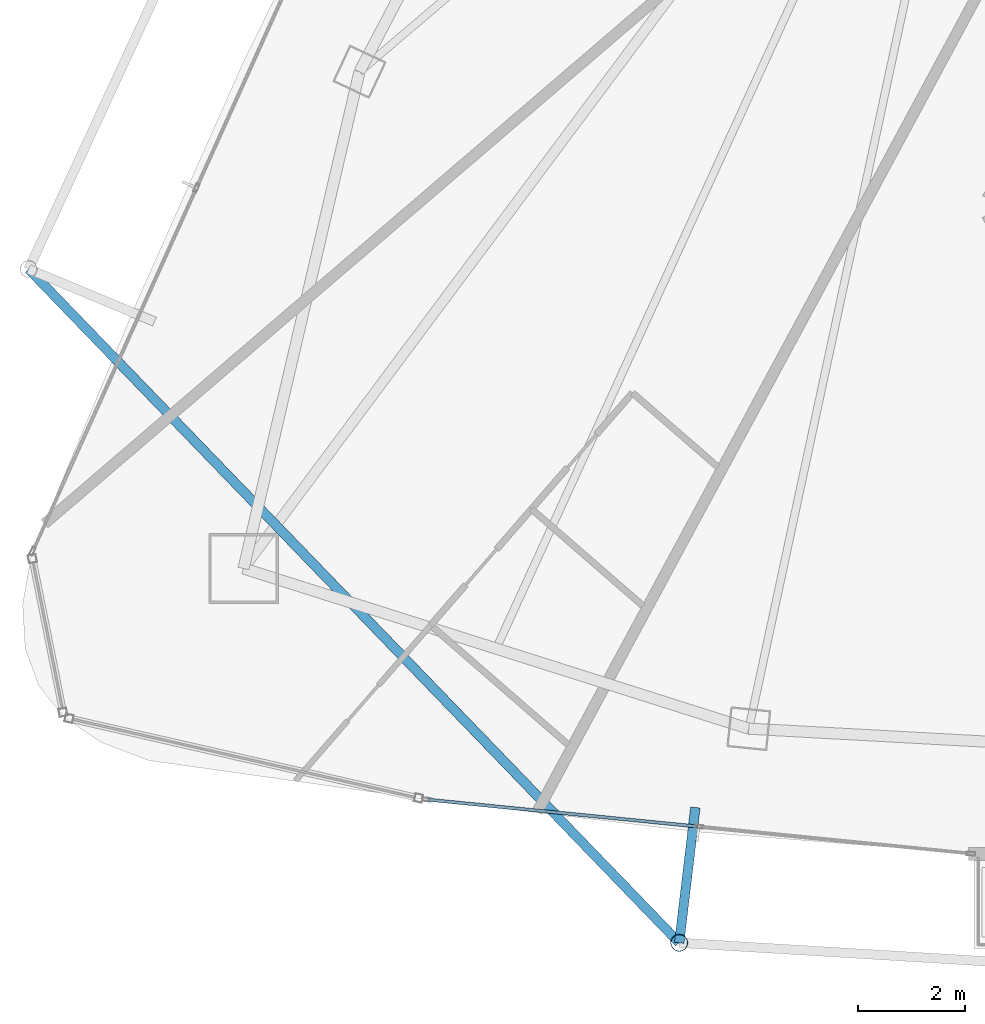
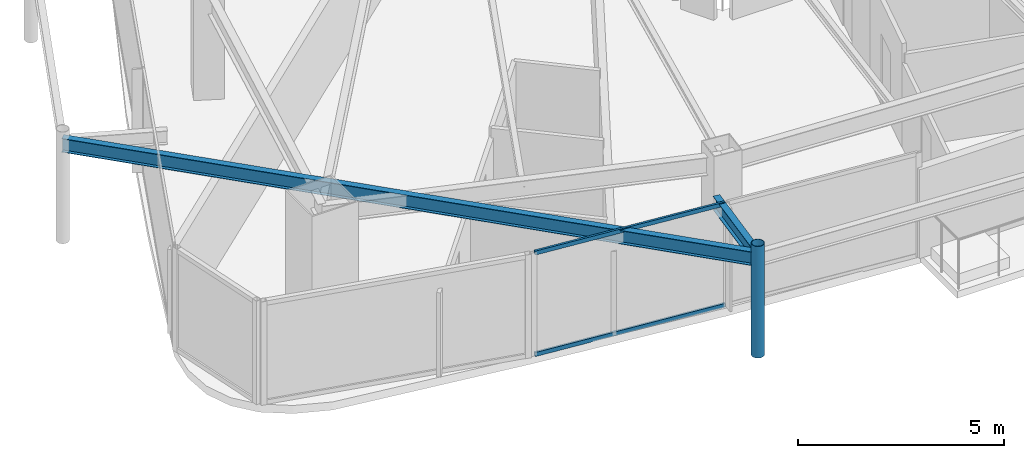
# One storey, part 3 of 30: 3 members, 2 beams, 1 element without a shape of its own.
"""IFC4 building model written with IfcOpenShell, lengths in metres."""

from ifc_helpers import new_model, si_unit, direction, frame, origin, origin_2d, place, context, subcontext, project, spatial, hollow_rectangle, hollow_circle, i_section, extrude, material, layer, layer_set, material_profile, profile_set, type_object, element, aggregate, save


model = new_model("IFC4")

# Units and contexts
model_context = context("Model", 3, precision=1e-05, world=origin(), true_north=direction((0.0, 1.0)))
body_context = subcontext(model_context, "Body", "Model", "MODEL_VIEW")
ifc_project = project(units=[si_unit("LENGTHUNIT", "METRE"), si_unit("AREAUNIT", "SQUARE_METRE"), si_unit("VOLUMEUNIT", "CUBIC_METRE"), si_unit("PLANEANGLEUNIT", "RADIAN"), si_unit("MASSUNIT", "GRAM", prefix="KILO")], contexts=[model_context])

# Site, building, storey
site_placement = place(None, origin())
site = spatial("IfcSite", under=ifc_project, at=site_placement, CompositionType="ELEMENT")
building_placement = place(site_placement, origin())
building = spatial("IfcBuilding", under=site, at=building_placement, Name="Orvanel Arch Residences", CompositionType="ELEMENT")
storey_placement = place(building_placement, frame((0.0, 0.0, 229.39990234375)))
storey = spatial("IfcBuildingStorey", under=building, at=storey_placement, Name="L65", CompositionType="ELEMENT", Elevation=229.39990234375)

# Beams
ifc_material_1 = material(Name="Structural steel AS/NZS 3679.1 Grade 300 (300 MPa)", Category="steel")
ifc_material_profile_1 = material_profile(ifc_material_1, i_section(OverallWidth=0.177978515625, OverallDepth=0.406005859375, WebThickness=0.0078125, FlangeThickness=0.0126953125, at=origin_2d()), Name="410UB59.7")
ifc_profile_set_1 = profile_set([ifc_material_profile_1], Name="Structural steel AS/NZS 3679.1 Grade 300 (300 MPa)")
beam_type = type_object("IfcBeamType", Name="OB-410UB-EXT", PredefinedType="SPANDREL", material=ifc_profile_set_1)
beam_1_placement = place(storey_placement, frame((10.179931640625, 15.950927734375, 2.857177734375), z_axis=(0.694614412616, -0.719382247339, 0.0), x_axis=(0.719382247339, 0.694614412616, 0.0)))
element("IfcBeam", 1, at=beam_1_placement, inside=storey, type_object=beam_type, Name="L65 Outer Perimeter Floor Ring Beam 04", PredefinedType="SPANDREL", context=body_context, shape_type="SweptSolid", body=[
    extrude(i_section(OverallWidth=0.177978515625, OverallDepth=0.406005859375, WebThickness=0.0078125, FlangeThickness=0.0126953125, at=origin_2d()), origin(), (0.0, 0.0, 1.0), 17.51611328125),
])
beam_2_placement = place(storey_placement, frame((22.64892578125, 5.882080078125, 2.857177734375), z_axis=(-0.118435415518, -0.992961757749, 0.0), x_axis=(0.992961757749, -0.118435415518, 0.0)))
element("IfcBeam", 2, at=beam_2_placement, inside=storey, type_object=beam_type, Name="L65 Outer Frame Radial Tie Beam 05", PredefinedType="SPANDREL", context=body_context, shape_type="SweptSolid", body=[
    extrude(i_section(OverallWidth=0.177978515625, OverallDepth=0.406005859375, WebThickness=0.0078125, FlangeThickness=0.0126953125, at=origin_2d()), origin(), (0.0, 0.0, 1.0), 2.550048828125),
])

# Member
ifc_material_2 = material(Name="Structural steel AS/NZS 1163 C350L0 (Grade 350)", Category="steel")
ifc_material_profile_2 = material_profile(ifc_material_2, hollow_circle(Radius=0.162109375, WallThickness=0.0126953125, at=origin_2d()), Name="CHS324x12.7")
ifc_profile_set_2 = profile_set([ifc_material_profile_2], Name="Structural steel AS/NZS 1163 C350L0 (Grade 350)")
member_type_1 = type_object("IfcMemberType", Name="ST-324CHS-EXT", PredefinedType="STRUT", material=ifc_profile_set_2)
member_1_placement = place(storey_placement, frame((22.346923828125, 3.35009765625, 0.0), z_axis=(0.0, 0.0, 1.0), x_axis=(1.0, 0.0, 0.0)))
element("IfcMember", 3, at=member_1_placement, inside=storey, type_object=member_type_1, Name="L65 Outer Perimeter Frame Post 05", PredefinedType="STRUT", context=body_context, shape_type="SweptSolid", body=[
    extrude(hollow_circle(Radius=0.162109375, WallThickness=0.0126953125, at=origin_2d()), origin(), (0.0, 0.0, 1.0), 3.300048828125),
])

# Curtain wall, members
ifc_material_3 = material(Name="Bronze-anodised aluminium AA6063-T6", Category="aluminium")
ifc_layer = layer(ifc_material_3, 0.175048828125)
ifc_layer_set = layer_set([ifc_layer], Name="Bronze-anodised aluminium AA6063-T6")
curtain_wall_type = type_object("IfcCurtainWallType", Name="CW4-HI-SYS", PredefinedType="NOTDEFINED", material=ifc_layer_set)
curtain_wall_placement = place(storey_placement, origin())
curtain_wall = element("IfcCurtainWall", 4, at=curtain_wall_placement, inside=storey, type_object=curtain_wall_type, Name="L65 CW4-HI-SYS Unitised Curtain Wall", PredefinedType="NOTDEFINED")
ifc_material_profile_3 = material_profile(ifc_material_3, hollow_rectangle(XDim=0.06005859375, YDim=0.1201171875, WallThickness=0.00341796875, at=origin_2d()), Name="ALU120x60x3.5")
ifc_profile_set_3 = profile_set([ifc_material_profile_3], Name="Bronze-anodised aluminium AA6063-T6")
member_type_2 = type_object("IfcMemberType", Name="TRN-120x60", PredefinedType="USERDEFINED", material=ifc_profile_set_3)
member_2_placement = place(storey_placement, frame((17.651611328125, 6.026611328125, 0.030029296875), z_axis=(0.995081584648, -0.099058769899, 0.0), x_axis=(0.099058769899, 0.995081584648, 0.0)))
member_2 = element("IfcMember", 5, at=member_2_placement, type_object=member_type_2, Name="CW-S4 transom 1.1", ObjectType="TRANSOM", PredefinedType="USERDEFINED", context=body_context, shape_type="SweptSolid", body=[
    extrude(hollow_rectangle(XDim=0.06005859375, YDim=0.1201171875, WallThickness=0.00341796875, at=origin_2d()), origin(), (0.0, 0.0, 1.0), 5.052490234375),
])
member_3_placement = place(storey_placement, frame((17.651611328125, 6.026611328125, 3.030029296875), z_axis=(0.995081584648, -0.099058769899, 0.0), x_axis=(0.099058769899, 0.995081584648, 0.0)))
member_3 = element("IfcMember", 6, at=member_3_placement, type_object=member_type_2, Name="CW-S4 transom 1.2", ObjectType="TRANSOM", PredefinedType="USERDEFINED", context=body_context, shape_type="SweptSolid", body=[
    extrude(hollow_rectangle(XDim=0.06005859375, YDim=0.1201171875, WallThickness=0.00341796875, at=origin_2d()), origin(), (0.0, 0.0, 1.0), 5.052490234375),
])
aggregate(curtain_wall, [member_2, member_3])

save(model, "model.ifc")
